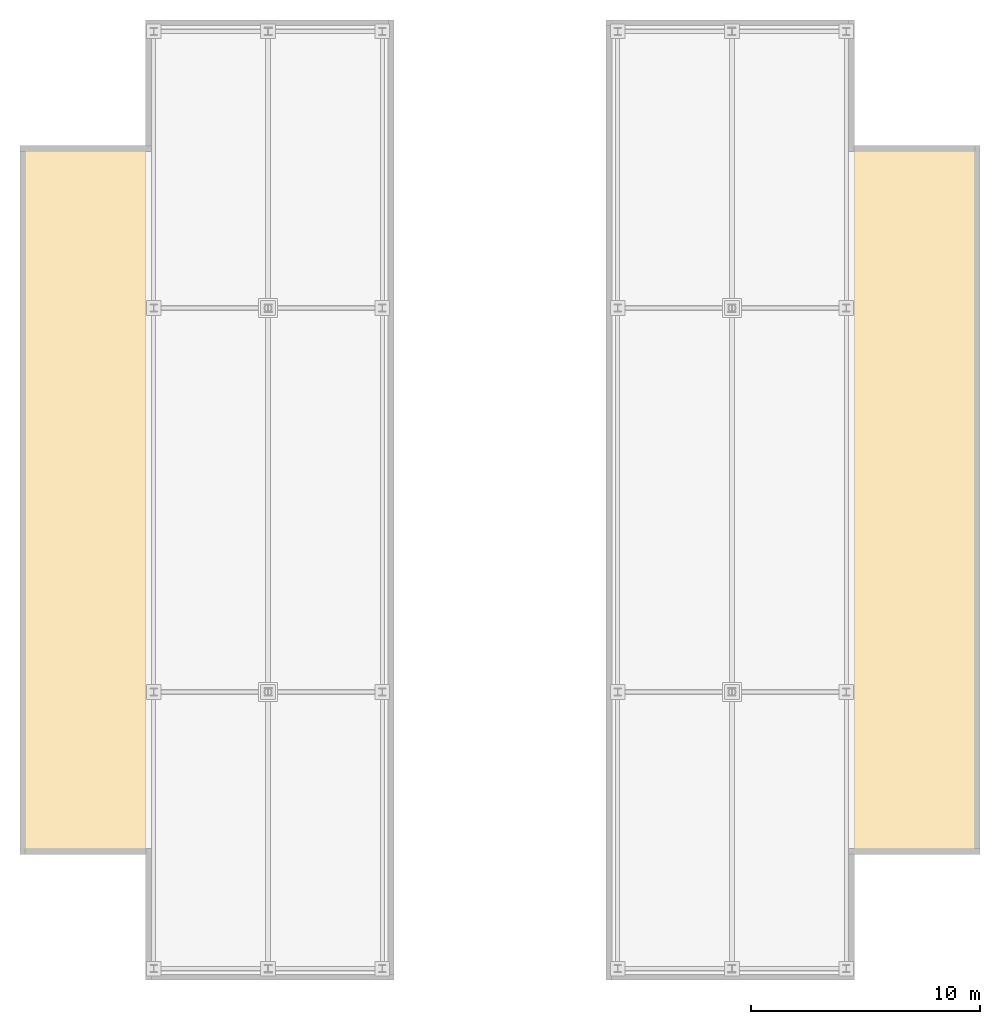
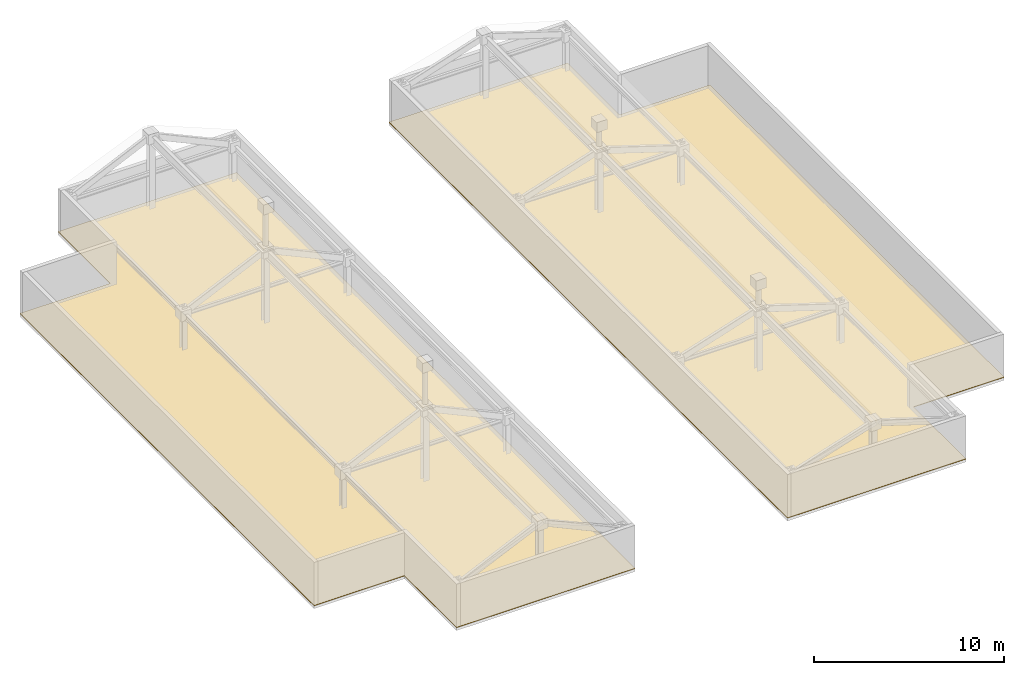
# One storey, part 9 of 9: 2 coverings.
"""IFC4 building model written with IfcOpenShell, lengths in metres."""

from ifc_helpers import new_model, si_unit, direction, frame, origin, place, context, subcontext, project, spatial, polyline, outline, extrude, material, layer, layer_set, type_object, element, save


model = new_model("IFC4")

# Units and contexts
model_context = context("Model", 3, precision=1e-05, world=origin(), true_north=direction((0.0, 1.0)))
body_context = subcontext(model_context, "Body", "Model", "MODEL_VIEW")
ifc_project = project(units=[si_unit("LENGTHUNIT", "METRE"), si_unit("AREAUNIT", "SQUARE_METRE"), si_unit("VOLUMEUNIT", "CUBIC_METRE"), si_unit("PLANEANGLEUNIT", "RADIAN"), si_unit("MASSUNIT", "GRAM", prefix="KILO")], contexts=[model_context])

# Site, building, storey
site_placement = place(None, origin())
site = spatial("IfcSite", under=ifc_project, at=site_placement, CompositionType="ELEMENT")
building_placement = place(site_placement, origin())
building = spatial("IfcBuilding", under=site, at=building_placement, Name="Cairnveth Concourse Tower", CompositionType="ELEMENT")
storey_placement = place(building_placement, frame((0.0, 0.0, 335.5)))
storey = spatial("IfcBuildingStorey", under=building, at=storey_placement, Name="RF", CompositionType="ELEMENT", Elevation=335.5)

# Coverings
ifc_material = material(Name="SBS Modified Bitumen Waterproofing Membrane", Category="other")
ifc_layer = layer(ifc_material, 0.0400390625)
ifc_layer_set = layer_set([ifc_layer], Name="SBS Modified Bitumen Waterproofing Membrane")
covering_type = type_object("IfcCoveringType", Name="SBS WATERPROOF ROOFING MEMBRANE 40", PredefinedType="ROOFING", material=ifc_layer_set)
covering_1_placement = place(storey_placement, origin())
element("IfcCovering", 1, at=covering_1_placement, inside=storey, type_object=covering_type, Name="West Crown Roof Waterproofing Membrane RF", PredefinedType="ROOFING", context=body_context, shape_type="SweptSolid", body=[
    extrude(outline(polyline([(36.5, 18.0), (47.360107421875, 18.0), (47.360107421875, 60.0), (36.5, 60.0), (36.5, 54.5), (31.0, 54.5), (31.0, 23.5), (36.5, 23.5), (36.5, 18.0)])), origin(), (0.0, 0.0, 1.0), 0.0400390625),
])
covering_2_placement = place(storey_placement, origin())
element("IfcCovering", 2, at=covering_2_placement, inside=storey, type_object=covering_type, Name="East Crown Roof Waterproofing Membrane RF", PredefinedType="ROOFING", context=body_context, shape_type="SweptSolid", body=[
    extrude(outline(polyline([(56.639892578125, 18.0), (67.5, 18.0), (67.5, 23.5), (73.0, 23.5), (73.0, 54.5), (67.5, 54.5), (67.5, 60.0), (56.639892578125, 60.0), (56.639892578125, 18.0)])), origin(), (0.0, 0.0, 1.0), 0.0400390625),
])

save(model, "model.ifc")
